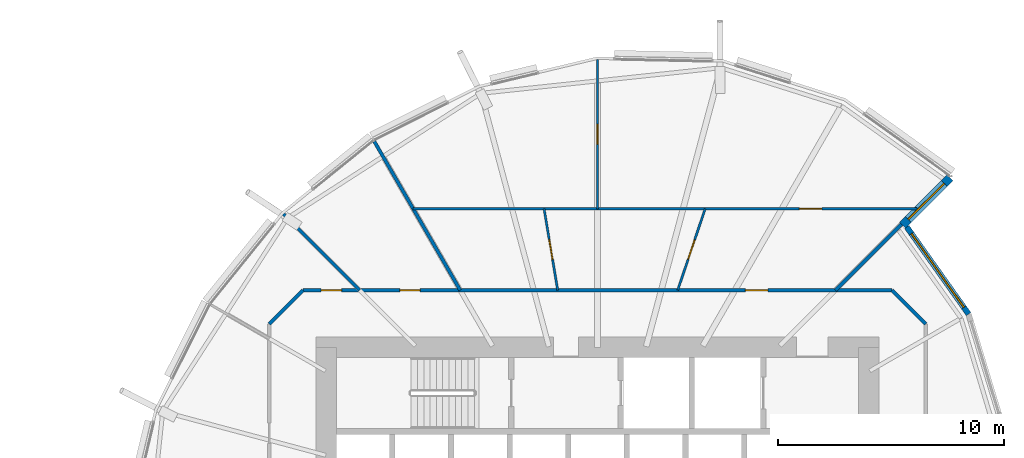
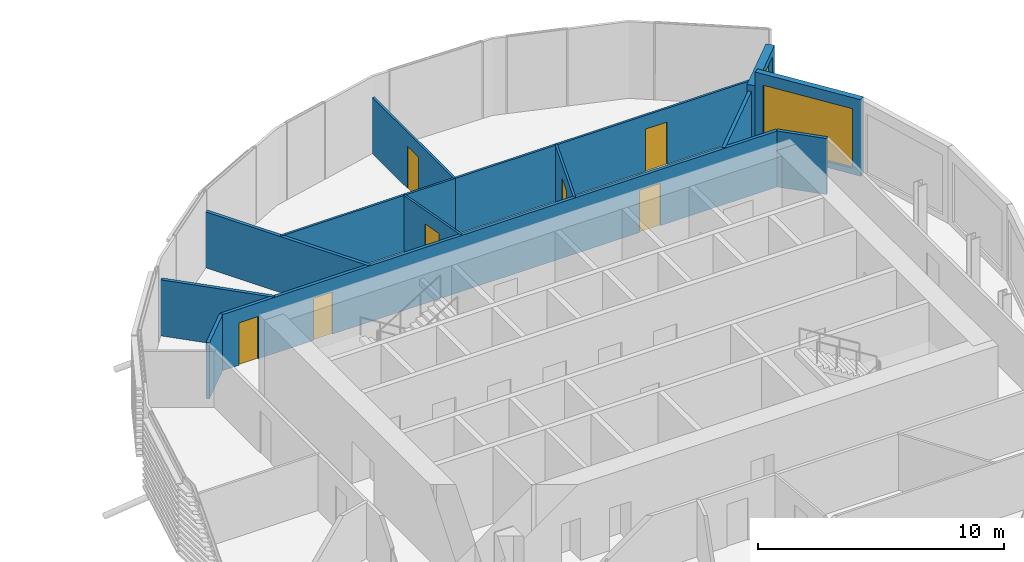
# One storey, part 24 of 36: 13 walls, 7 doors, 2 windows, 9 openings.
"""IFC4 building model written with IfcOpenShell, lengths in metres."""

from ifc_helpers import new_model, si_unit, direction, frame, frame_2d, origin, place, context, subcontext, project, spatial, rectangle, extrude, material, layer, layer_set, type_object, element, fill, save


model = new_model("IFC4")

# Units and contexts
model_context = context("Model", 3, precision=1e-05, world=origin(), true_north=direction((0.0, 1.0)))
body_context = subcontext(model_context, "Body", "Model", "MODEL_VIEW")
ifc_project = project(units=[si_unit("LENGTHUNIT", "METRE"), si_unit("AREAUNIT", "SQUARE_METRE"), si_unit("VOLUMEUNIT", "CUBIC_METRE"), si_unit("PLANEANGLEUNIT", "RADIAN"), si_unit("MASSUNIT", "GRAM", prefix="KILO")], contexts=[model_context])

# Site, building, storey
site_placement = place(None, origin())
site = spatial("IfcSite", under=ifc_project, at=site_placement, CompositionType="ELEMENT")
building_placement = place(site_placement, origin())
building = spatial("IfcBuilding", under=site, at=building_placement, Name="Rimbun Link Towers", CompositionType="ELEMENT")
storey_placement = place(building_placement, frame((0.0, 0.0, 33.800048828125)))
storey = spatial("IfcBuildingStorey", under=building, at=storey_placement, Name="L07", CompositionType="ELEMENT", Elevation=33.800048828125)

# Wall, opening, window
ifc_material_1 = material(Name="Dark enamelled glass spandrel on insulated aluminium backpan", Category="aluminium")
ifc_layer_1 = layer(ifc_material_1, 0.25)
ifc_layer_set_1 = layer_set([ifc_layer_1], Name="CS dark enamelled spandrel wall 250")
wall_type_1 = type_object("IfcWallType", Name="CS dark enamelled spandrel wall 250", PredefinedType="STANDARD", material=ifc_layer_set_1)
wall_1_placement = place(storey_placement, frame((45.430419921875, 13.326904296875, 0.0), z_axis=(0.0, 0.0, 1.0), x_axis=(0.578853291803, -0.815431705643, 0.0)))
wall_1 = element("IfcWall", 1, at=wall_1_placement, inside=storey, type_object=wall_type_1, Name="Crease spandrel wall", PredefinedType="STANDARD", context=body_context, shape_type="SweptSolid", body=[
    extrude(rectangle(XDim=4.73046875, YDim=0.25, at=frame_2d((2.365234375, 0.0))), origin(), (0.0, 0.0, 1.0), 3.800048828125),
])
opening_1_placement = place(wall_1_placement, frame((0.365234375, 0.0, 0.300048828125)))
opening_1 = element("IfcOpeningElement", 2, at=opening_1_placement, cuts=wall_1, Name="Opening WR40H295", PredefinedType="OPENING", context=body_context, shape_type="SweptSolid", body=[
    extrude(rectangle(XDim=4.0, YDim=2.949951171875, at=frame_2d((2.0, 1.47509765625))), frame((0.0, 0.135009765625, 0.0), z_axis=(0.0, -1.0, 0.0), x_axis=(1.0, 0.0, 0.0)), (0.0, 0.0, 1.0), 0.27001953125),
])
ifc_material_2 = material(Name="Aluminium framed fixed window, dark tinted low-e glass", Category="aluminium")
window_type_1 = type_object("IfcWindowType", Name="WR ribbon window 4000X2950", PartitioningType="SINGLE_PANEL", PredefinedType="WINDOW", material=ifc_material_2)
window_1_placement = place(opening_1_placement, origin())
window_1 = element("IfcWindow", 3, at=window_1_placement, inside=storey, type_object=window_type_1, Name="Crease ribbon window", OverallHeight=2.949951171875, OverallWidth=4.0, PartitioningType="SINGLE_PANEL", PredefinedType="WINDOW", context=body_context, shape_type="SweptSolid", body=[
    extrude(rectangle(XDim=4.0, YDim=2.949951171875, at=frame_2d((2.0, 1.47509765625))), frame((0.0, 0.030029296875, 0.0), z_axis=(0.0, -1.0, 0.0), x_axis=(1.0, 0.0, 0.0)), (0.0, 0.0, 1.0), 0.06005859375),
])
fill(opening_1, window_1)

ifc_material_3 = material(Name="Dark enamelled glass spandrel on insulated aluminium backpan", Category="aluminium")
ifc_layer_2 = layer(ifc_material_3, 0.3701171875)
ifc_layer_set_2 = layer_set([ifc_layer_2], Name="CS dark enamelled spandrel wall 370")
wall_type_2 = type_object("IfcWallType", Name="CS dark enamelled spandrel wall 370", PredefinedType="STANDARD", material=ifc_layer_set_2)
wall_2_placement = place(storey_placement, frame((47.34716796875, 15.505126953125, 0.0), z_axis=(0.0, 0.0, 1.0), x_axis=(-0.707106781187, -0.707106781187, 0.0)))
wall_2 = element("IfcWall", 4, at=wall_2_placement, inside=storey, type_object=wall_type_2, Name="Crease spandrel wall", PredefinedType="STANDARD", context=body_context, shape_type="SweptSolid", body=[
    extrude(rectangle(XDim=2.97998046875, YDim=0.3701171875, at=frame_2d((1.489990234375, 0.0))), origin(), (0.0, 0.0, 1.0), 3.096923828125),
])
opening_2_placement = place(wall_2_placement, frame((0.364990234375, 0.0, 0.300048828125)))
opening_2 = element("IfcOpeningElement", 5, at=opening_2_placement, cuts=wall_2, Name="Opening WR22H245", PredefinedType="OPENING", context=body_context, shape_type="SweptSolid", body=[
    extrude(rectangle(XDim=2.25, YDim=2.449951171875, at=frame_2d((1.125, 1.22509765625))), frame((0.0, 0.195068359375, 0.0), z_axis=(0.0, -1.0, 0.0), x_axis=(1.0, 0.0, 0.0)), (0.0, 0.0, 1.0), 0.39013671875),
])
ifc_material_4 = material(Name="Aluminium framed fixed window, dark tinted low-e glass", Category="aluminium")
window_type_2 = type_object("IfcWindowType", Name="WR ribbon window 2250X2450", PartitioningType="SINGLE_PANEL", PredefinedType="WINDOW", material=ifc_material_4)
window_2_placement = place(opening_2_placement, origin())
window_2 = element("IfcWindow", 6, at=window_2_placement, inside=storey, type_object=window_type_2, Name="Crease ribbon window", OverallHeight=2.449951171875, OverallWidth=2.25, PartitioningType="SINGLE_PANEL", PredefinedType="WINDOW", context=body_context, shape_type="SweptSolid", body=[
    extrude(rectangle(XDim=2.25, YDim=2.449951171875, at=frame_2d((1.125, 1.22509765625))), frame((0.0, 0.030029296875, 0.0), z_axis=(0.0, -1.0, 0.0), x_axis=(1.0, 0.0, 0.0)), (0.0, 0.0, 1.0), 0.06005859375),
])
fill(opening_2, window_2)

# Wall, openings, doors
ifc_material_5 = material(Name="Plasterboard on steel stud, mineral wool", Category="steel")
ifc_layer_3 = layer(ifc_material_5, 0.14990234375)
ifc_layer_set_3 = layer_set([ifc_layer_3], Name="Corridor wall EI 30 150 mm")
wall_type_3 = type_object("IfcWallType", Name="Corridor wall EI 30 150 mm", PredefinedType="PARTITIONING", material=ifc_layer_set_3)
wall_3_placement = place(storey_placement, frame((18.723388671875, 10.52490234375, 0.0), z_axis=(0.0, 0.0, 1.0), x_axis=(1.0, 0.0, 0.0)))
wall_3 = element("IfcWall", 7, at=wall_3_placement, inside=storey, type_object=wall_type_3, Name="Corridor wall EI 30 150 mm", PredefinedType="PARTITIONING", context=body_context, shape_type="SweptSolid", body=[
    extrude(rectangle(XDim=26.05322265625, YDim=0.14990234375, at=frame_2d((13.026611328125, 0.0))), origin(), (0.0, 0.0, 1.0), 2.779052734375),
])
opening_3_placement = place(wall_3_placement, frame((19.5625, 0.0, 0.0)))
opening_3 = element("IfcOpeningElement", 8, at=opening_3_placement, cuts=wall_3, Name="Opening D01", PredefinedType="OPENING", context=body_context, shape_type="SweptSolid", body=[
    extrude(rectangle(XDim=1.0, YDim=2.10009765625, at=frame_2d((0.5, 1.050048828125))), frame((0.0, 0.0849609375, 0.0), z_axis=(0.0, -1.0, 0.0), x_axis=(1.0, 0.0, 0.0)), (0.0, 0.0, 1.0), 0.169921875),
])
opening_4_placement = place(wall_3_placement, frame((4.27587890625, 0.0, 0.0)))
opening_4 = element("IfcOpeningElement", 9, at=opening_4_placement, cuts=wall_3, Name="Opening D02", PredefinedType="OPENING", context=body_context, shape_type="SweptSolid", body=[
    extrude(rectangle(XDim=0.89990234375, YDim=2.10009765625, at=frame_2d((0.449951171875, 1.050048828125))), frame((0.0, 0.0849609375, 0.0), z_axis=(0.0, -1.0, 0.0), x_axis=(1.0, 0.0, 0.0)), (0.0, 0.0, 1.0), 0.169921875),
])
opening_5_placement = place(wall_3_placement, frame((0.80078125, 0.0, 0.0)))
opening_5 = element("IfcOpeningElement", 10, at=opening_5_placement, cuts=wall_3, Name="Opening D02", PredefinedType="OPENING", context=body_context, shape_type="SweptSolid", body=[
    extrude(rectangle(XDim=0.89990234375, YDim=2.10009765625, at=frame_2d((0.449951171875, 1.050048828125))), frame((0.0, 0.0849609375, 0.0), z_axis=(0.0, -1.0, 0.0), x_axis=(1.0, 0.0, 0.0)), (0.0, 0.0, 1.0), 0.169921875),
])
ifc_material_6 = material(Name="Fire-resisting timber door leaf", Category="wood")
door_type_1 = type_object("IfcDoorType", Name="Fire door FD30S 1000", OperationType="NOTDEFINED", PredefinedType="DOOR", material=ifc_material_6)
door_1_placement = place(opening_3_placement, origin())
door_1 = element("IfcDoor", 11, at=door_1_placement, inside=storey, type_object=door_type_1, Name="Fire door FD30S 1000 to Reception", OperationType="SINGLE_SWING_LEFT", OverallHeight=2.10009765625, OverallWidth=1.0, PredefinedType="DOOR", context=body_context, shape_type="SweptSolid", body=[
    extrude(rectangle(XDim=1.0, YDim=2.10009765625, at=frame_2d((0.5, 1.050048828125))), frame((0.0, 0.02490234375, 0.0), z_axis=(0.0, -1.0, 0.0), x_axis=(1.0, 0.0, 0.0)), (0.0, 0.0, 1.0), 0.050048828125),
])
fill(opening_3, door_1)
ifc_material_7 = material(Name="Fire-resisting timber door leaf", Category="wood")
door_type_2 = type_object("IfcDoorType", Name="Fire door FD30S 900", OperationType="NOTDEFINED", PredefinedType="DOOR", material=ifc_material_7)
door_2_placement = place(opening_4_placement, origin())
door_2 = element("IfcDoor", 12, at=door_2_placement, inside=storey, type_object=door_type_2, Name="Fire door FD30S 900 to Print room", OperationType="SINGLE_SWING_RIGHT", OverallHeight=2.10009765625, OverallWidth=0.89990234375, PredefinedType="DOOR", context=body_context, shape_type="SweptSolid", body=[
    extrude(rectangle(XDim=0.89990234375, YDim=2.10009765625, at=frame_2d((0.449951171875, 1.050048828125))), frame((0.0, 0.02490234375, 0.0), z_axis=(0.0, -1.0, 0.0), x_axis=(1.0, 0.0, 0.0)), (0.0, 0.0, 1.0), 0.050048828125),
])
fill(opening_4, door_2)
door_3_placement = place(opening_5_placement, origin())
door_3 = element("IfcDoor", 13, at=door_3_placement, inside=storey, type_object=door_type_2, Name="Fire door FD30S 900 to Cellular office", OperationType="SINGLE_SWING_LEFT", OverallHeight=2.10009765625, OverallWidth=0.89990234375, PredefinedType="DOOR", context=body_context, shape_type="SweptSolid", body=[
    extrude(rectangle(XDim=0.89990234375, YDim=2.10009765625, at=frame_2d((0.449951171875, 1.050048828125))), frame((0.0, 0.02490234375, 0.0), z_axis=(0.0, -1.0, 0.0), x_axis=(1.0, 0.0, 0.0)), (0.0, 0.0, 1.0), 0.050048828125),
])
fill(opening_5, door_3)

# Walls
for number, where, z_axis, x_axis, name in (
    (14, (46.27490234375, 9.026611328125, 0.0), (0.0, 0.0, 1.0), (-0.707106781187, 0.707106781187, 0.0), "Corridor wall EI 30 150 mm"),
    (15, (18.723388671875, 10.52490234375, 0.0), (0.0, 0.0, 1.0), (-0.707106781187, -0.707106781187, 0.0), "Corridor wall EI 30 150 mm"),
):
    element("IfcWall", number, at=place(storey_placement, frame(where, z_axis=z_axis, x_axis=x_axis)), inside=storey, type_object=wall_type_3, Name=name, PredefinedType="PARTITIONING", context=body_context, shape_type="SweptSolid", body=[
        extrude(rectangle(XDim=2.118896484375, YDim=0.14990234375, at=frame_2d((1.0595703125, 0.0))), origin(), (0.0, 0.0, 1.0), 2.779052734375),
    ])

# Wall, opening, door
ifc_material_8 = material(Name="Plasterboard on steel stud", Category="steel")
ifc_layer_4 = layer(ifc_material_8, 0.10009765625)
ifc_layer_set_4 = layer_set([ifc_layer_4], Name="Plasterboard partition 100 mm")
wall_type_4 = type_object("IfcWallType", Name="Plasterboard partition 100 mm", PredefinedType="PARTITIONING", material=ifc_layer_set_4)
wall_4_placement = place(storey_placement, frame((35.29638671875, 10.52490234375, 0.0), z_axis=(0.0, 0.0, 1.0), x_axis=(0.319330046256, 0.947643562506, 0.0)))
wall_4 = element("IfcWall", 16, at=wall_4_placement, inside=storey, type_object=wall_type_4, Name="Plasterboard partition 100 mm", PredefinedType="PARTITIONING", context=body_context, shape_type="SweptSolid", body=[
    extrude(rectangle(XDim=3.799072265625, YDim=0.10009765625, at=frame_2d((1.8994140625, 0.0))), origin(), (0.0, 0.0, 1.0), 2.779052734375),
])
opening_6_placement = place(wall_4_placement, frame((1.449462890625, 0.0, 0.0)))
opening_6 = element("IfcOpeningElement", 17, at=opening_6_placement, cuts=wall_4, Name="Opening D04", PredefinedType="OPENING", context=body_context, shape_type="SweptSolid", body=[
    extrude(rectangle(XDim=0.89990234375, YDim=2.10009765625, at=frame_2d((0.449951171875, 1.050048828125))), frame((0.0, 0.06005859375, 0.0), z_axis=(0.0, -1.0, 0.0), x_axis=(1.0, 0.0, 0.0)), (0.0, 0.0, 1.0), 0.1201171875),
])
ifc_material_9 = material(Name="Timber door leaf", Category="wood")
door_type_3 = type_object("IfcDoorType", Name="Flush door 900", OperationType="NOTDEFINED", PredefinedType="DOOR", material=ifc_material_9)
door_4_placement = place(opening_6_placement, origin())
door_4 = element("IfcDoor", 18, at=door_4_placement, inside=storey, type_object=door_type_3, Name="Flush door 900 to Meeting room", OperationType="SINGLE_SWING_LEFT", OverallHeight=2.10009765625, OverallWidth=0.89990234375, PredefinedType="DOOR", context=body_context, shape_type="SweptSolid", body=[
    extrude(rectangle(XDim=0.89990234375, YDim=2.10009765625, at=frame_2d((0.449951171875, 1.050048828125))), frame((0.0, 0.02490234375, 0.0), z_axis=(0.0, -1.0, 0.0), x_axis=(1.0, 0.0, 0.0)), (0.0, 0.0, 1.0), 0.050048828125),
])
fill(opening_6, door_4)

wall_5_placement = place(storey_placement, frame((31.75, 14.125, 0.0), z_axis=(0.0, 0.0, 1.0), x_axis=(1.0, 0.0, 0.0)))
wall_5 = element("IfcWall", 19, at=wall_5_placement, inside=storey, type_object=wall_type_4, Name="Plasterboard partition 100 mm", PredefinedType="PARTITIONING", context=body_context, shape_type="SweptSolid", body=[
    extrude(rectangle(XDim=14.125, YDim=0.10009765625, at=frame_2d((7.0625, 0.0))), origin(), (0.0, 0.0, 1.0), 2.779052734375),
])
opening_7_placement = place(wall_5_placement, frame((8.926513671875, 0.0, 0.0)))
opening_7 = element("IfcOpeningElement", 20, at=opening_7_placement, cuts=wall_5, Name="Opening D03", PredefinedType="OPENING", context=body_context, shape_type="SweptSolid", body=[
    extrude(rectangle(XDim=1.0, YDim=2.10009765625, at=frame_2d((0.5, 1.050048828125))), frame((0.0, 0.06005859375, 0.0), z_axis=(0.0, -1.0, 0.0), x_axis=(1.0, 0.0, 0.0)), (0.0, 0.0, 1.0), 0.1201171875),
])
ifc_material_10 = material(Name="Timber door leaf", Category="wood")
door_type_4 = type_object("IfcDoorType", Name="Flush door 1000", OperationType="NOTDEFINED", PredefinedType="DOOR", material=ifc_material_10)
door_5_placement = place(opening_7_placement, origin())
door_5 = element("IfcDoor", 21, at=door_5_placement, inside=storey, type_object=door_type_4, Name="Flush door 1000 to Co-working space", OperationType="SINGLE_SWING_RIGHT", OverallHeight=2.10009765625, OverallWidth=1.0, PredefinedType="DOOR", context=body_context, shape_type="SweptSolid", body=[
    extrude(rectangle(XDim=1.0, YDim=2.10009765625, at=frame_2d((0.5, 1.050048828125))), frame((0.0, 0.02490234375, 0.0), z_axis=(0.0, -1.0, 0.0), x_axis=(1.0, 0.0, 0.0)), (0.0, 0.0, 1.0), 0.050048828125),
])
fill(opening_7, door_5)

wall_6_placement = place(storey_placement, frame((29.9873046875, 10.52490234375, 0.0), z_axis=(0.0, 0.0, 1.0), x_axis=(-0.165136472475, 0.98627072625, 0.0)))
wall_6 = element("IfcWall", 22, at=wall_6_placement, inside=storey, type_object=wall_type_4, Name="Plasterboard partition 100 mm", PredefinedType="PARTITIONING", context=body_context, shape_type="SweptSolid", body=[
    extrude(rectangle(XDim=3.650146484375, YDim=0.10009765625, at=frame_2d((1.8251953125, 0.0))), origin(), (0.0, 0.0, 1.0), 2.779052734375),
])
opening_8_placement = place(wall_6_placement, frame((1.375, 0.0, 0.0)))
opening_8 = element("IfcOpeningElement", 23, at=opening_8_placement, cuts=wall_6, Name="Opening D04", PredefinedType="OPENING", context=body_context, shape_type="SweptSolid", body=[
    extrude(rectangle(XDim=0.89990234375, YDim=2.10009765625, at=frame_2d((0.449951171875, 1.050048828125))), frame((0.0, 0.06005859375, 0.0), z_axis=(0.0, -1.0, 0.0), x_axis=(1.0, 0.0, 0.0)), (0.0, 0.0, 1.0), 0.1201171875),
])
door_6_placement = place(opening_8_placement, origin())
door_6 = element("IfcDoor", 24, at=door_6_placement, inside=storey, type_object=door_type_3, Name="Flush door 900 to Pantry", OperationType="SINGLE_SWING_RIGHT", OverallHeight=2.10009765625, OverallWidth=0.89990234375, PredefinedType="DOOR", context=body_context, shape_type="SweptSolid", body=[
    extrude(rectangle(XDim=0.89990234375, YDim=2.10009765625, at=frame_2d((0.449951171875, 1.050048828125))), frame((0.0, 0.02490234375, 0.0), z_axis=(0.0, -1.0, 0.0), x_axis=(1.0, 0.0, 0.0)), (0.0, 0.0, 1.0), 0.050048828125),
])
fill(opening_8, door_6)

# Wall
wall_7_placement = place(storey_placement, frame((31.75, 14.125, 0.0), z_axis=(0.0, 0.0, 1.0), x_axis=(-1.0, 0.0, 0.0)))
element("IfcWall", 25, at=wall_7_placement, inside=storey, type_object=wall_type_4, Name="Plasterboard partition 100 mm", PredefinedType="PARTITIONING", context=body_context, shape_type="SweptSolid", body=[
    extrude(rectangle(XDim=8.155029296875, YDim=0.10009765625, at=frame_2d((4.07763671875, 0.0))), origin(), (0.0, 0.0, 1.0), 2.779052734375),
])

# Wall, opening, door
wall_8_placement = place(storey_placement, frame((31.75, 14.125, 0.0), z_axis=(0.0, 0.0, 1.0), x_axis=(0.0, 1.0, 0.0)))
wall_8 = element("IfcWall", 26, at=wall_8_placement, inside=storey, type_object=wall_type_4, Name="Plasterboard partition 100 mm", PredefinedType="PARTITIONING", context=body_context, shape_type="SweptSolid", body=[
    extrude(rectangle(XDim=6.6083984375, YDim=0.10009765625, at=frame_2d((3.30419921875, 0.0))), origin(), (0.0, 0.0, 1.0), 2.779052734375),
])
opening_9_placement = place(wall_8_placement, frame((2.854248046875, 0.0, 0.0)))
opening_9 = element("IfcOpeningElement", 27, at=opening_9_placement, cuts=wall_8, Name="Opening D04", PredefinedType="OPENING", context=body_context, shape_type="SweptSolid", body=[
    extrude(rectangle(XDim=0.89990234375, YDim=2.10009765625, at=frame_2d((0.449951171875, 1.050048828125))), frame((0.0, 0.06005859375, 0.0), z_axis=(0.0, -1.0, 0.0), x_axis=(1.0, 0.0, 0.0)), (0.0, 0.0, 1.0), 0.1201171875),
])
door_7_placement = place(opening_9_placement, origin())
door_7 = element("IfcDoor", 28, at=door_7_placement, inside=storey, type_object=door_type_3, Name="Flush door 900 to Serviced office", OperationType="SINGLE_SWING_LEFT", OverallHeight=2.10009765625, OverallWidth=0.89990234375, PredefinedType="DOOR", context=body_context, shape_type="SweptSolid", body=[
    extrude(rectangle(XDim=0.89990234375, YDim=2.10009765625, at=frame_2d((0.449951171875, 1.050048828125))), frame((0.0, 0.02490234375, 0.0), z_axis=(0.0, -1.0, 0.0), x_axis=(1.0, 0.0, 0.0)), (0.0, 0.0, 1.0), 0.050048828125),
])
fill(opening_9, door_7)

# Walls
ifc_material_11 = material(Name="Plasterboard on steel stud, mineral wool", Category="steel")
ifc_layer_5 = layer(ifc_material_11, 0.14990234375)
ifc_layer_set_5 = layer_set([ifc_layer_5], Name="Tenancy separation wall EI 60 150 mm")
wall_type_5 = type_object("IfcWallType", Name="Tenancy separation wall EI 60 150 mm", PredefinedType="PARTITIONING", material=ifc_layer_set_5)
wall_9_placement = place(storey_placement, frame((42.27490234375, 10.52490234375, 0.0), z_axis=(0.0, 0.0, 1.0), x_axis=(0.707106781187, 0.707106781187, 0.0)))
element("IfcWall", 29, at=wall_9_placement, inside=storey, type_object=wall_type_5, Name="Tenancy separation wall EI 60 150 mm", PredefinedType="PARTITIONING", context=body_context, shape_type="SweptSolid", body=[
    extrude(rectangle(XDim=4.12841796875, YDim=0.14990234375, at=frame_2d((2.064208984375, 0.0))), origin(), (0.0, 0.0, 1.0), 2.779052734375),
])
wall_10_placement = place(storey_placement, frame((25.67333984375, 10.52490234375, 0.0), z_axis=(0.0, 0.0, 1.0), x_axis=(-0.499997376803, 0.866026918282, 0.0)))
element("IfcWall", 30, at=wall_10_placement, inside=storey, type_object=wall_type_5, Name="Tenancy separation wall EI 60 150 mm", PredefinedType="PARTITIONING", context=body_context, shape_type="SweptSolid", body=[
    extrude(rectangle(XDim=7.6357421875, YDim=0.14990234375, at=frame_2d((3.81787109375, 0.0))), origin(), (0.0, 0.0, 1.0), 2.779052734375),
])
wall_11_placement = place(storey_placement, frame((21.22509765625, 10.52490234375, 0.0), z_axis=(0.0, 0.0, 1.0), x_axis=(-0.707106781187, 0.707106781187, 0.0)))
element("IfcWall", 31, at=wall_11_placement, inside=storey, type_object=wall_type_5, Name="Tenancy separation wall EI 60 150 mm", PredefinedType="PARTITIONING", context=body_context, shape_type="SweptSolid", body=[
    extrude(rectangle(XDim=4.769775390625, YDim=0.14990234375, at=frame_2d((2.384765625, 0.0))), origin(), (0.0, 0.0, 1.0), 2.779052734375),
])

save(model, "model.ifc")
